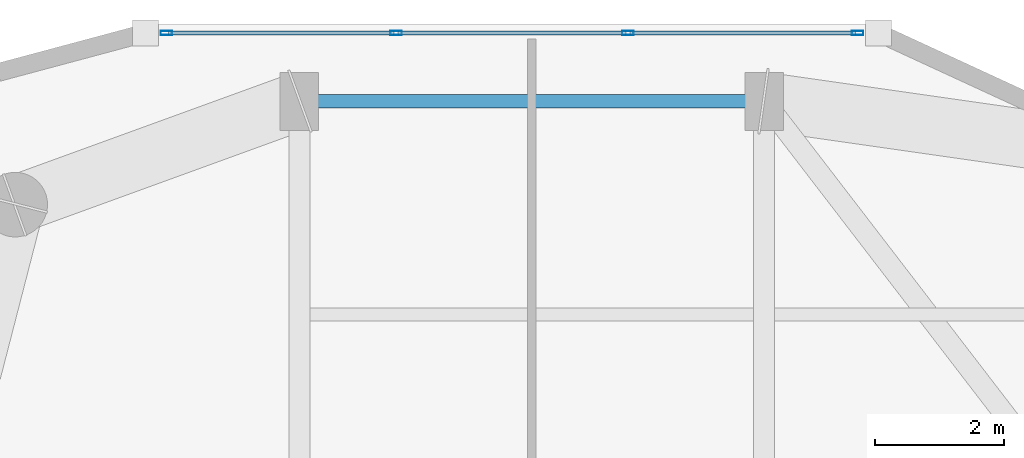
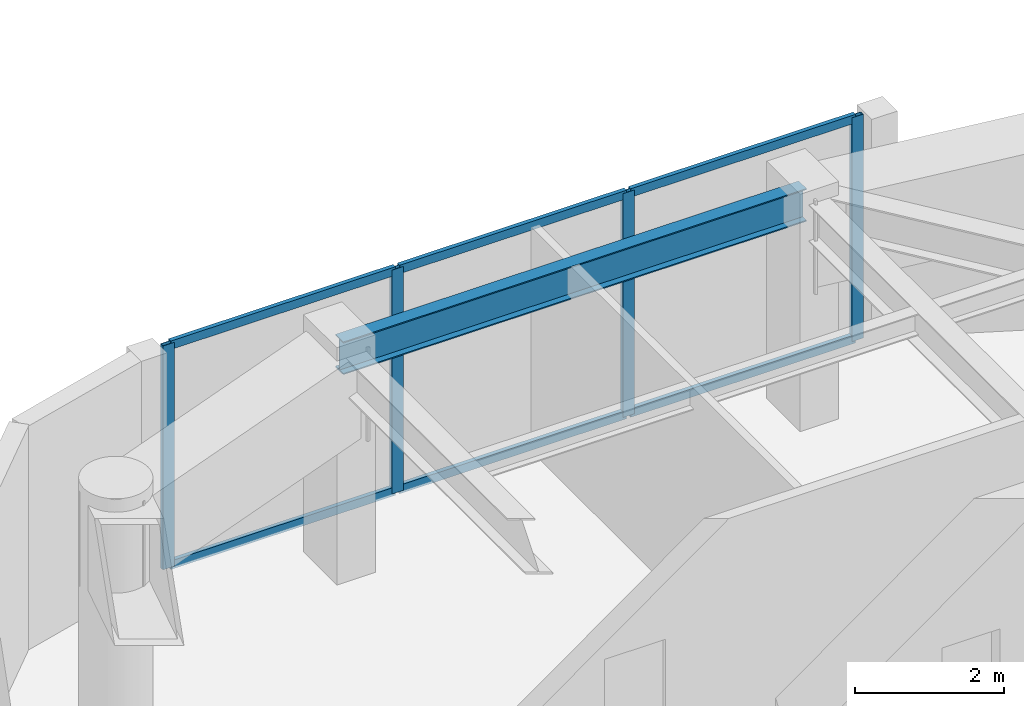
# One storey, part 6 of 15: 10 members, 1 beam, 1 element without a shape of its own.
"""IFC4 building model written with IfcOpenShell, lengths in metres."""

from ifc_helpers import new_model, si_unit, direction, frame, origin, origin_2d, place, context, subcontext, project, spatial, hollow_rectangle, i_section, extrude, material, layer, layer_set, material_profile, profile_set, type_object, element, aggregate, save


model = new_model("IFC4")

# Units and contexts
model_context = context("Model", 3, precision=1e-05, world=origin(), true_north=direction((0.0, 1.0)))
body_context = subcontext(model_context, "Body", "Model", "MODEL_VIEW")
ifc_project = project(units=[si_unit("LENGTHUNIT", "METRE"), si_unit("AREAUNIT", "SQUARE_METRE"), si_unit("VOLUMEUNIT", "CUBIC_METRE"), si_unit("PLANEANGLEUNIT", "RADIAN"), si_unit("MASSUNIT", "GRAM", prefix="KILO")], contexts=[model_context])

# Site, building, storey
site_placement = place(None, origin())
site = spatial("IfcSite", under=ifc_project, at=site_placement, CompositionType="ELEMENT")
building_placement = place(site_placement, origin())
building = spatial("IfcBuilding", under=site, at=building_placement, Name="Kiyonajd Concourse Tower", CompositionType="ELEMENT")
storey_placement = place(building_placement, frame((0.0, 0.0, 318.0)))
storey = spatial("IfcBuildingStorey", under=building, at=storey_placement, Name="L80", CompositionType="ELEMENT", Elevation=318.0)

# Beam
ifc_material_1 = material(Name="Steel ASTM A992 Grade 50", Category="steel")
ifc_material_profile_1 = material_profile(ifc_material_1, i_section(OverallWidth=0.2109375, OverallDepth=0.5390625, WebThickness=0.01171875, FlangeThickness=0.018798828125, at=origin_2d()), Name="W530X109")
ifc_profile_set_1 = profile_set([ifc_material_profile_1], Name="Steel ASTM A992 Grade 50")
beam_type = type_object("IfcBeamType", Name="BM-SPAN-530B", PredefinedType="SPANDREL", material=ifc_profile_set_1)
beam_placement = place(storey_placement, frame((39.60009765625, 52.199951171875, 3.410400390625), z_axis=(-1.0, 0.0, 0.0), x_axis=(0.0, -1.0, 0.0)))
element("IfcBeam", 1, at=beam_placement, inside=storey, type_object=beam_type, Name="L80 Perimeter Bundled Tube Spandrel", PredefinedType="SPANDREL", context=body_context, shape_type="SweptSolid", body=[
    extrude(i_section(OverallWidth=0.2109375, OverallDepth=0.5390625, WebThickness=0.01171875, FlangeThickness=0.018798828125, at=origin_2d()), origin(), (0.0, 0.0, 1.0), 7.2001953125),
])

# Curtain wall, members
ifc_material_2 = material(Name="Thermally Broken Anodised Aluminium", Category="aluminium")
ifc_layer = layer(ifc_material_2, 0.179931640625)
ifc_layer_set = layer_set([ifc_layer], Name="Thermally Broken Anodised Aluminium")
curtain_wall_type = type_object("IfcCurtainWallType", Name="CW-SYS-04", PredefinedType="NOTDEFINED", material=ifc_layer_set)
curtain_wall_placement = place(storey_placement, origin())
curtain_wall = element("IfcCurtainWall", 2, at=curtain_wall_placement, inside=storey, type_object=curtain_wall_type, Name="L80 Unitised Curtain Wall CW4", PredefinedType="NOTDEFINED")
ifc_material_profile_2 = material_profile(ifc_material_2, hollow_rectangle(XDim=0.06494140625, YDim=0.179931640625, WallThickness=0.00390625, at=origin_2d()), Name="MULL-65x180")
ifc_profile_set_2 = profile_set([ifc_material_profile_2], Name="Thermally Broken Anodised Aluminium")
member_type_1 = type_object("IfcMemberType", Name="MB-CW-MULL1", PredefinedType="MULLION", material=ifc_profile_set_2)
member_1_placement = place(storey_placement, frame((30.3408203125, 53.260009765625, 0.0), z_axis=(0.0, 0.0, 1.0), x_axis=(0.0, 1.0, 0.0)))
member_1 = element("IfcMember", 3, at=member_1_placement, type_object=member_type_1, Name="CW4 mullion 1", PredefinedType="MULLION", context=body_context, shape_type="SweptSolid", body=[
    extrude(hollow_rectangle(XDim=0.06494140625, YDim=0.179931640625, WallThickness=0.00390625, at=origin_2d()), origin(), (0.0, 0.0, 1.0), 3.679931640625),
])
member_2_placement = place(storey_placement, frame((33.898681640625, 53.260009765625, 0.0), z_axis=(0.0, 0.0, 1.0), x_axis=(0.0, 1.0, 0.0)))
member_2 = element("IfcMember", 4, at=member_2_placement, type_object=member_type_1, Name="CW4 mullion 2", PredefinedType="MULLION", context=body_context, shape_type="SweptSolid", body=[
    extrude(hollow_rectangle(XDim=0.06494140625, YDim=0.179931640625, WallThickness=0.00390625, at=origin_2d()), origin(), (0.0, 0.0, 1.0), 3.679931640625),
])
member_3_placement = place(storey_placement, frame((37.489013671875, 53.260009765625, 0.0), z_axis=(0.0, 0.0, 1.0), x_axis=(0.0, 1.0, 0.0)))
member_3 = element("IfcMember", 5, at=member_3_placement, type_object=member_type_1, Name="CW4 mullion 3", PredefinedType="MULLION", context=body_context, shape_type="SweptSolid", body=[
    extrude(hollow_rectangle(XDim=0.06494140625, YDim=0.179931640625, WallThickness=0.00390625, at=origin_2d()), origin(), (0.0, 0.0, 1.0), 3.679931640625),
])
member_4_placement = place(storey_placement, frame((41.046875, 53.260009765625, 0.0), z_axis=(0.0, 0.0, 1.0), x_axis=(0.0, 1.0, 0.0)))
member_4 = element("IfcMember", 6, at=member_4_placement, type_object=member_type_1, Name="CW4 mullion 4", PredefinedType="MULLION", context=body_context, shape_type="SweptSolid", body=[
    extrude(hollow_rectangle(XDim=0.06494140625, YDim=0.179931640625, WallThickness=0.00390625, at=origin_2d()), origin(), (0.0, 0.0, 1.0), 3.679931640625),
])
ifc_material_profile_3 = material_profile(ifc_material_2, hollow_rectangle(XDim=0.06494140625, YDim=0.139892578125, WallThickness=0.00390625, at=origin_2d()), Name="TRAN-65x140")
ifc_profile_set_3 = profile_set([ifc_material_profile_3], Name="Thermally Broken Anodised Aluminium")
member_type_2 = type_object("IfcMemberType", Name="MB-CW-TRAN1", PredefinedType="USERDEFINED", material=ifc_profile_set_3)
member_5_placement = place(storey_placement, frame((30.373291015625, 53.260009765625, 0.032470703125), z_axis=(1.0, 0.0, 0.0), x_axis=(0.0, 1.0, 0.0)))
member_5 = element("IfcMember", 7, at=member_5_placement, type_object=member_type_2, Name="CW4 transom 1.1", ObjectType="TRANSOM", PredefinedType="USERDEFINED", context=body_context, shape_type="SweptSolid", body=[
    extrude(hollow_rectangle(XDim=0.06494140625, YDim=0.139892578125, WallThickness=0.00390625, at=origin_2d()), origin(), (0.0, 0.0, 1.0), 3.492919921875),
])
member_6_placement = place(storey_placement, frame((30.373291015625, 53.260009765625, 3.6474609375), z_axis=(1.0, 0.0, 0.0), x_axis=(0.0, 1.0, 0.0)))
member_6 = element("IfcMember", 8, at=member_6_placement, type_object=member_type_2, Name="CW4 transom 1.2", ObjectType="TRANSOM", PredefinedType="USERDEFINED", context=body_context, shape_type="SweptSolid", body=[
    extrude(hollow_rectangle(XDim=0.06494140625, YDim=0.139892578125, WallThickness=0.00390625, at=origin_2d()), origin(), (0.0, 0.0, 1.0), 3.492919921875),
])
member_7_placement = place(storey_placement, frame((33.93115234375, 53.260009765625, 0.032470703125), z_axis=(1.0, 0.0, 0.0), x_axis=(0.0, 1.0, 0.0)))
member_7 = element("IfcMember", 9, at=member_7_placement, type_object=member_type_2, Name="CW4 transom 2.1", ObjectType="TRANSOM", PredefinedType="USERDEFINED", context=body_context, shape_type="SweptSolid", body=[
    extrude(hollow_rectangle(XDim=0.06494140625, YDim=0.139892578125, WallThickness=0.00390625, at=origin_2d()), origin(), (0.0, 0.0, 1.0), 3.525390625),
])
member_8_placement = place(storey_placement, frame((33.93115234375, 53.260009765625, 3.6474609375), z_axis=(1.0, 0.0, 0.0), x_axis=(0.0, 1.0, 0.0)))
member_8 = element("IfcMember", 10, at=member_8_placement, type_object=member_type_2, Name="CW4 transom 2.2", ObjectType="TRANSOM", PredefinedType="USERDEFINED", context=body_context, shape_type="SweptSolid", body=[
    extrude(hollow_rectangle(XDim=0.06494140625, YDim=0.139892578125, WallThickness=0.00390625, at=origin_2d()), origin(), (0.0, 0.0, 1.0), 3.525390625),
])
member_9_placement = place(storey_placement, frame((37.521484375, 53.260009765625, 0.032470703125), z_axis=(1.0, 0.0, 0.0), x_axis=(0.0, 1.0, 0.0)))
member_9 = element("IfcMember", 11, at=member_9_placement, type_object=member_type_2, Name="CW4 transom 3.1", ObjectType="TRANSOM", PredefinedType="USERDEFINED", context=body_context, shape_type="SweptSolid", body=[
    extrude(hollow_rectangle(XDim=0.06494140625, YDim=0.139892578125, WallThickness=0.00390625, at=origin_2d()), origin(), (0.0, 0.0, 1.0), 3.492919921875),
])
member_10_placement = place(storey_placement, frame((37.521484375, 53.260009765625, 3.6474609375), z_axis=(1.0, 0.0, 0.0), x_axis=(0.0, 1.0, 0.0)))
member_10 = element("IfcMember", 12, at=member_10_placement, type_object=member_type_2, Name="CW4 transom 3.2", ObjectType="TRANSOM", PredefinedType="USERDEFINED", context=body_context, shape_type="SweptSolid", body=[
    extrude(hollow_rectangle(XDim=0.06494140625, YDim=0.139892578125, WallThickness=0.00390625, at=origin_2d()), origin(), (0.0, 0.0, 1.0), 3.492919921875),
])
aggregate(curtain_wall, [member_1, member_2, member_3, member_4, member_5, member_6, member_7, member_8, member_9, member_10])

save(model, "model.ifc")
